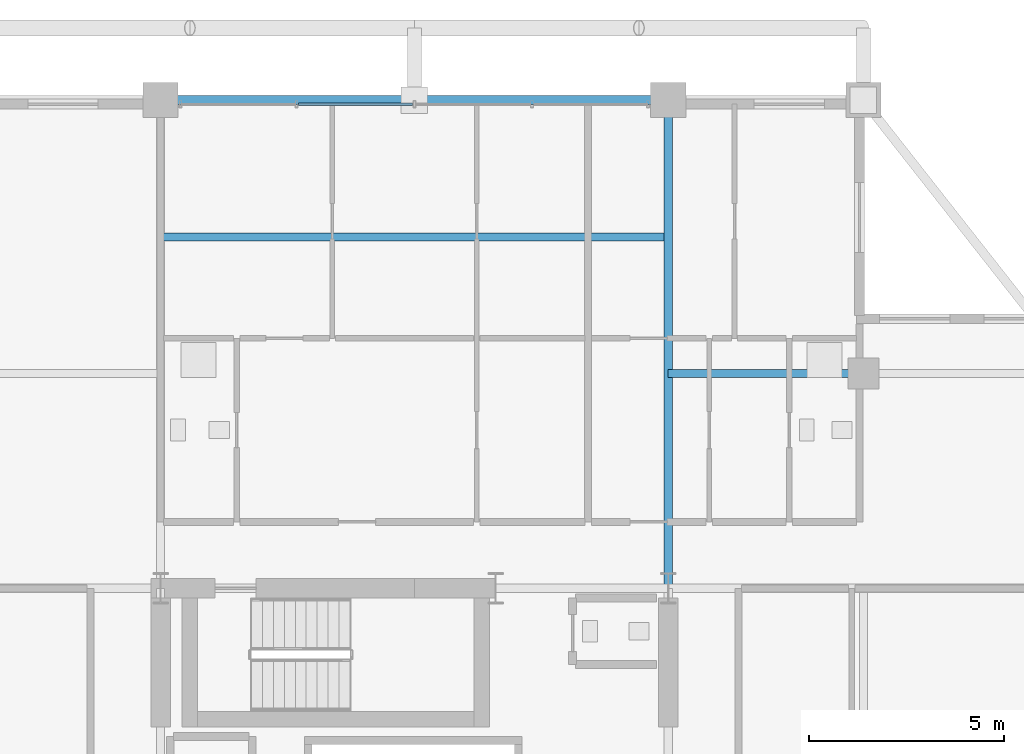
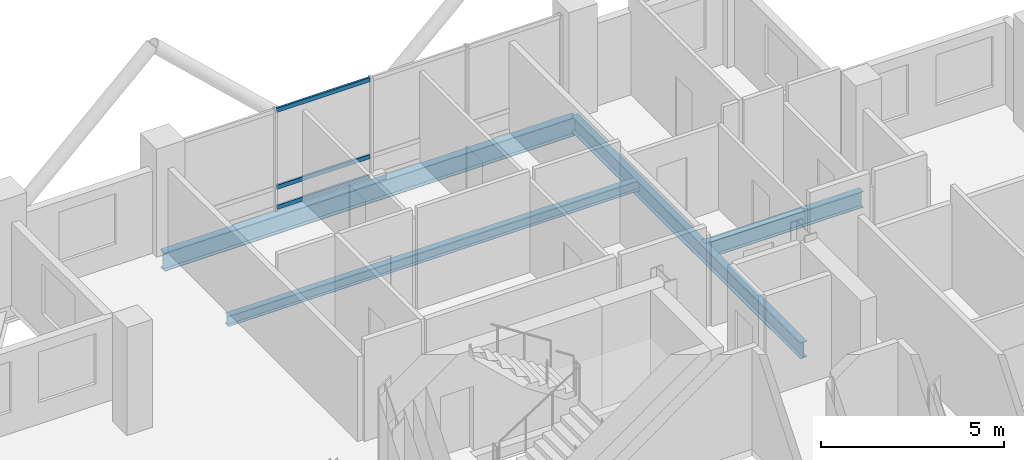
# One storey, part 16 of 24: 4 beams, 3 members, 1 element without a shape of its own.
"""IFC4 building model written with IfcOpenShell, lengths in metres."""

import ifcopenshell
import ifcopenshell.guid

model = None  # the IFC model being written
_history = None  # IfcOwnerHistory: only IFC2X3 demands one
_inside = {}  # id of a spatial element -> (the spatial element, [elements in it])
_under = {}  # id of a project, library or spatial element -> (it, [spatial elements below it])
_declared = {}  # id of a project -> (the project, [libraries it declares])
_typed = {}  # id of a type object -> (the type object, [elements of that type])
_made_of = {}  # id of a material, layer set ... -> (it, [elements and type objects made of it])


def new_model(schema):
    """Start an empty IFC model of exactly this schema.

    Asked for "IFC4X3", IfcOpenShell would pick the latest addendum, in which some entities
    have other attributes; the version numbers below select the first issue.
    IFC2X3 requires an IfcOwnerHistory on every rooted entity: one is made here for all.
    """
    global model, _history
    if schema == "IFC4X3":
        model = ifcopenshell.file(schema_version=(4, 3, 0, 0))
    else:
        model = ifcopenshell.file(schema=schema)
    _inside.clear()
    _under.clear()
    _declared.clear()
    _typed.clear()
    _made_of.clear()
    _history = None
    if model.schema == "IFC2X3":
        org = make("IfcOrganization", Name="unknown")
        user = make(
            "IfcPersonAndOrganization",
            ThePerson=make("IfcPerson", FamilyName="unknown"),
            TheOrganization=org,
        )
        app = make(
            "IfcApplication",
            ApplicationDeveloper=org,
            Version="unknown",
            ApplicationFullName="unknown",
            ApplicationIdentifier="unknown",
        )
        _history = make(
            "IfcOwnerHistory",
            OwningUser=user,
            OwningApplication=app,
            ChangeAction="ADDED",
            CreationDate=0,
        )
    return model


def make(cls, **values):
    """One entity of the class cls with the attributes given. An attribute that is None is left unset."""
    return model.create_entity(
        cls, **{name: value for name, value in values.items() if value is not None}
    )


def rooted(cls, **values):
    """An entity with a GlobalId (a new one), such as an element, a storey or a relation."""
    return make(cls, GlobalId=ifcopenshell.guid.new(), OwnerHistory=_history, **values)


def si_unit(unit_type, name, prefix=None):
    """IfcSIUnit, for example si_unit("LENGTHUNIT", "METRE", prefix="MILLI")."""
    return make("IfcSIUnit", UnitType=unit_type, Prefix=prefix, Name=name)


def assignment(units):
    """IfcUnitAssignment: the units of a project."""
    return None if units is None else make("IfcUnitAssignment", Units=units)


def point(xyz):
    """IfcCartesianPoint."""
    return None if xyz is None else make("IfcCartesianPoint", Coordinates=xyz)


def direction(xyz):
    """IfcDirection."""
    return None if xyz is None else make("IfcDirection", DirectionRatios=xyz)


def frame(location, z_axis=None, x_axis=None):
    """IfcAxis2Placement3D, a coordinate frame: its origin and axes. An axis left out is left unset."""
    return make(
        "IfcAxis2Placement3D",
        Location=point(location),
        Axis=direction(z_axis),
        RefDirection=direction(x_axis),
    )


def frame_2d(location, x_axis=None):
    """IfcAxis2Placement2D, a coordinate frame in the plane: its origin and x axis."""
    return make(
        "IfcAxis2Placement2D", Location=point(location), RefDirection=direction(x_axis)
    )


def origin():
    """The frame at (0, 0, 0) with its axes left unset."""
    return frame((0.0, 0.0, 0.0))


def origin_2d():
    """The frame at (0, 0) in the plane with its x axis left unset."""
    return frame_2d((0.0, 0.0))


def place(relative_to, where):
    """IfcLocalPlacement: puts the frame where relative to a parent placement (None: the world)."""
    return make(
        "IfcLocalPlacement", PlacementRelTo=relative_to, RelativePlacement=where
    )


def context(
    kind, dimensions, precision=None, world=None, true_north=None, identifier=None
):
    """IfcGeometricRepresentationContext, for example the 3D "Model" context."""
    return make(
        "IfcGeometricRepresentationContext",
        ContextIdentifier=identifier,
        ContextType=kind,
        CoordinateSpaceDimension=dimensions,
        Precision=precision,
        WorldCoordinateSystem=world,
        TrueNorth=true_north,
    )


def subcontext(parent, identifier, kind, view, scale=None):
    """IfcGeometricRepresentationSubContext, for example "Body" below "Model"."""
    return make(
        "IfcGeometricRepresentationSubContext",
        ContextIdentifier=identifier,
        ContextType=kind,
        ParentContext=parent,
        TargetScale=scale,
        TargetView=view,
    )


def project(units=None, contexts=None):
    """IfcProject with its units and contexts."""
    return rooted(
        "IfcProject",
        Name="project",
        RepresentationContexts=contexts,
        UnitsInContext=assignment(units),
    )


def spatial(cls, under=None, at=None, **own):
    """A site, building, storey or space (cls), placed at a placement, below another one or the project."""
    s = rooted(cls, ObjectPlacement=at, **own)
    if under is not None:
        _under.setdefault(under.id(), (under, []))[1].append(s)
    return s


def profile(cls, at=None, kind="AREA", **sizes):
    """A parametric profile (cls). Its sizes go by their IFC names, for example OverallWidth=200.0."""
    return make(cls, ProfileType=kind, Position=at, **sizes)


def hollow_rectangle(**sizes):
    """IfcRectangleHollowProfileDef."""
    return profile("IfcRectangleHollowProfileDef", **sizes)


def i_section(**sizes):
    """IfcIShapeProfileDef."""
    return profile("IfcIShapeProfileDef", **sizes)


def extrude(swept, where, along, depth):
    """IfcExtrudedAreaSolid: the profile swept, set in the frame where, extruded along a direction by depth."""
    return make(
        "IfcExtrudedAreaSolid",
        SweptArea=swept,
        Position=where,
        ExtrudedDirection=direction(along),
        Depth=depth,
    )


def shape(context_of_items, identifier, shape_type, items):
    """IfcShapeRepresentation: the items that make up one representation, for example the "Body"."""
    return make(
        "IfcShapeRepresentation",
        ContextOfItems=context_of_items,
        RepresentationIdentifier=identifier,
        RepresentationType=shape_type,
        Items=items,
    )


def material(Name=None, Category=None):
    """IfcMaterial."""
    return make("IfcMaterial", Name=Name, Category=Category)


def layer(
    of_material, thickness, ventilated=None, Name=None, Category=None, Priority=None
):
    """IfcMaterialLayer: one layer of a wall or slab, of a material (None: an air gap)."""
    return make(
        "IfcMaterialLayer",
        Material=of_material,
        LayerThickness=thickness,
        IsVentilated=ventilated,
        Name=Name,
        Category=Category,
        Priority=Priority,
    )


def layer_set(layers, Name=None):
    """IfcMaterialLayerSet."""
    return make("IfcMaterialLayerSet", MaterialLayers=layers, LayerSetName=Name)


def material_profile(
    of_material, cross_section, Name=None, Category=None, Priority=None
):
    """IfcMaterialProfile: a cross section and its material."""
    return make(
        "IfcMaterialProfile",
        Name=Name,
        Material=of_material,
        Profile=cross_section,
        Priority=Priority,
        Category=Category,
    )


def profile_set(profiles, Name=None, composite=None):
    """IfcMaterialProfileSet."""
    return make(
        "IfcMaterialProfileSet",
        Name=Name,
        MaterialProfiles=profiles,
        CompositeProfile=composite,
    )


def made_of(thing, what):
    """Note that an element or type object is made of a material, layer set ...; save() writes the relation."""
    if what is not None:
        _made_of.setdefault(what.id(), (what, []))[1].append(thing)
    return thing


def type_object(cls, material=None, **own):
    """A type object (cls), such as IfcWallType, which elements share."""
    return made_of(rooted(cls, **own), material)


def element(
    cls,
    number,
    at=None,
    inside=None,
    cuts=None,
    type_object=None,
    material=None,
    context=None,
    identifier="Body",
    shape_type=None,
    held_by="IfcProductDefinitionShape",
    body=None,
    shapes=None,
    **own,
):
    """One element of the class cls, such as IfcWall. Its Tag is "e" and its number.

    at: its placement. inside: the storey or other place that contains it. cuts: it is an
    opening in that element (IfcRelVoidsElement). A single representation is given by context,
    identifier, shape_type and body (its items); several are given by shapes. held_by: the class
    of the entity that holds the representations. save() writes the other relations.
    """
    e = rooted(cls, Tag="e%d" % number, ObjectPlacement=at, **own)
    if body is not None:
        shapes = [shape(context, identifier, shape_type, body)]
    if shapes is not None:
        e.Representation = make(held_by, Representations=shapes)
    if inside is not None:
        _inside.setdefault(inside.id(), (inside, []))[1].append(e)
    if cuts is not None:
        rooted(
            "IfcRelVoidsElement", RelatingBuildingElement=cuts, RelatedOpeningElement=e
        )
    if type_object is not None:
        _typed.setdefault(type_object.id(), (type_object, []))[1].append(e)
    return made_of(e, material)


def aggregate(whole, parts):
    """IfcRelAggregates: a whole, such as a stair, and the parts it consists of."""
    return rooted("IfcRelAggregates", RelatingObject=whole, RelatedObjects=parts)


def save(model, path):
    """Write the relations noted so far, then the file.

    IfcRelAggregates (storeys below a building ...), IfcRelContainedInSpatialStructure (elements
    in a storey), IfcRelDefinesByType, IfcRelAssociatesMaterial and IfcRelDeclares: one each for
    every whole, place, type object, material and project.
    """
    for whole, parts in _under.values():
        aggregate(whole, parts)
    for where, things in _inside.values():
        rooted(
            "IfcRelContainedInSpatialStructure",
            RelatedElements=things,
            RelatingStructure=where,
        )
    for kind, things in _typed.values():
        rooted("IfcRelDefinesByType", RelatedObjects=things, RelatingType=kind)
    for what, things in _made_of.values():
        rooted("IfcRelAssociatesMaterial", RelatedObjects=things, RelatingMaterial=what)
    for by, libraries in _declared.values():
        rooted("IfcRelDeclares", RelatingContext=by, RelatedDefinitions=libraries)
    model.write(path)


model = new_model("IFC4")

# Units and contexts
model_context = context("Model", 3, precision=1e-05, world=origin(), true_north=direction((0.0, 1.0)))
body_context = subcontext(model_context, "Body", "Model", "MODEL_VIEW")
ifc_project = project(units=[si_unit("LENGTHUNIT", "METRE"), si_unit("AREAUNIT", "SQUARE_METRE"), si_unit("VOLUMEUNIT", "CUBIC_METRE"), si_unit("PLANEANGLEUNIT", "RADIAN"), si_unit("MASSUNIT", "GRAM", prefix="KILO")], contexts=[model_context])

# Site, building, storey
site_placement = place(None, origin())
site = spatial("IfcSite", under=ifc_project, at=site_placement, CompositionType="ELEMENT")
building_placement = place(site_placement, origin())
building = spatial("IfcBuilding", under=site, at=building_placement, Name="Barlavira Tower and Art Museum", CompositionType="ELEMENT")
storey_placement = place(building_placement, frame((0.0, 0.0, 251.10009765625)))
storey = spatial("IfcBuildingStorey", under=building, at=storey_placement, Name="L65", CompositionType="ELEMENT", Elevation=251.10009765625)

# Curtain wall, members
ifc_material_1 = material(Name="Low-iron coastal laminated glass", Category="glass")
ifc_layer = layer(ifc_material_1, 0.2099609375, Name="Low-iron coastal laminated glass")
ifc_layer_set = layer_set([ifc_layer], Name="Low-iron coastal laminated glass")
curtain_wall_type = type_object("IfcCurtainWallType", Name="Pale-Metal Unitised Curtain Wall Zone 4", PredefinedType="NOTDEFINED", material=ifc_layer_set)
curtain_wall_placement = place(storey_placement, origin())
curtain_wall = element("IfcCurtainWall", 1, at=curtain_wall_placement, inside=storey, type_object=curtain_wall_type, Name="L65 Curtain Wall CW4-L65-N-B2", PredefinedType="NOTDEFINED")
ifc_material_2 = material(Name="Pale anodised aluminium", Category="aluminium")
ifc_material_profile_1 = material_profile(ifc_material_2, hollow_rectangle(XDim=0.06494140625, YDim=0.139892578125, WallThickness=0.00390625, at=origin_2d()), Name="ALU-TRAN 65x140x4")
ifc_profile_set_1 = profile_set([ifc_material_profile_1], Name="Pale anodised aluminium")
member_type = type_object("IfcMemberType", Name="Curtain Wall Pale-Metal Transom 65x140", PredefinedType="USERDEFINED", material=ifc_profile_set_1)
member_1_placement = place(storey_placement, frame((-0.044921875, 19.89990234375, 0.06982421875), z_axis=(-1.0, 0.0, 0.0), x_axis=(0.0, -1.0, 0.0)))
member_1 = element("IfcMember", 2, at=member_1_placement, type_object=member_type, Name="CW4-L65-N-B2 Transom 2.1", ObjectType="TRANSOM", PredefinedType="USERDEFINED", context=body_context, shape_type="SweptSolid", body=[
    extrude(hollow_rectangle(XDim=0.06494140625, YDim=0.139892578125, WallThickness=0.00390625, at=origin_2d()), origin(), (0.0, 0.0, 1.0), 2.925048828125),
])
member_2_placement = place(storey_placement, frame((-0.044921875, 19.89990234375, 0.743896484375), z_axis=(-1.0, 0.0, 0.0), x_axis=(0.0, -1.0, 0.0)))
member_2 = element("IfcMember", 3, at=member_2_placement, type_object=member_type, Name="CW4-L65-N-B2 Transom 2.2", ObjectType="TRANSOM", PredefinedType="USERDEFINED", context=body_context, shape_type="SweptSolid", body=[
    extrude(hollow_rectangle(XDim=0.06494140625, YDim=0.139892578125, WallThickness=0.00390625, at=origin_2d()), origin(), (0.0, 0.0, 1.0), 2.925048828125),
])
member_3_placement = place(storey_placement, frame((-0.044921875, 19.89990234375, 3.309814453125), z_axis=(-1.0, 0.0, 0.0), x_axis=(0.0, -1.0, 0.0)))
member_3 = element("IfcMember", 4, at=member_3_placement, type_object=member_type, Name="CW4-L65-N-B2 Transom 2.3", ObjectType="TRANSOM", PredefinedType="USERDEFINED", context=body_context, shape_type="SweptSolid", body=[
    extrude(hollow_rectangle(XDim=0.06494140625, YDim=0.139892578125, WallThickness=0.00390625, at=origin_2d()), origin(), (0.0, 0.0, 1.0), 2.925048828125),
])
aggregate(curtain_wall, [member_1, member_2, member_3])

# Beams
ifc_material_3 = material(Name="Steel S355", Category="steel")
ifc_material_profile_2 = material_profile(ifc_material_3, i_section(OverallWidth=0.22998046875, OverallDepth=0.616943359375, WebThickness=0.01318359375, FlangeThickness=0.022216796875, at=origin_2d()), Name="W610x140.0")
ifc_profile_set_2 = profile_set([ifc_material_profile_2], Name="Steel S355")
beam_type_1 = type_object("IfcBeamType", Name="Upper Shaft Spandrel Edge Beam W610x140 Steel S355", PredefinedType="SPANDREL", material=ifc_profile_set_2)
beam_1_placement = place(storey_placement, frame((-6.5, 20.0, -0.528564453125), z_axis=(1.0, 0.0, 0.0), x_axis=(0.0, 1.0, 0.0)))
element("IfcBeam", 5, at=beam_1_placement, inside=storey, type_object=beam_type_1, Name="L65 Spandrel 10", PredefinedType="SPANDREL", context=body_context, shape_type="SweptSolid", body=[
    extrude(i_section(OverallWidth=0.22998046875, OverallDepth=0.616943359375, WebThickness=0.01318359375, FlangeThickness=0.022216796875, at=origin_2d()), origin(), (0.0, 0.0, 1.0), 13.0),
])
ifc_material_profile_3 = material_profile(ifc_material_3, i_section(OverallWidth=0.2109375, OverallDepth=0.5390625, WebThickness=0.01171875, FlangeThickness=0.018798828125, at=origin_2d()), Name="W530x109.0")
ifc_profile_set_3 = profile_set([ifc_material_profile_3], Name="Steel S355")
beam_type_2 = type_object("IfcBeamType", Name="Zone 3-4 Primary Floor Girder W530x109 Steel S355", PredefinedType="BEAM", material=ifc_profile_set_3)
beam_2_placement = place(storey_placement, frame((6.5, 7.5, -0.489501953125), z_axis=(0.0, 1.0, 0.0), x_axis=(-1.0, 0.0, 0.0)))
element("IfcBeam", 6, at=beam_2_placement, inside=storey, type_object=beam_type_2, Name="L65 Girder R-N2", PredefinedType="BEAM", context=body_context, shape_type="SweptSolid", body=[
    extrude(i_section(OverallWidth=0.2109375, OverallDepth=0.5390625, WebThickness=0.01171875, FlangeThickness=0.018798828125, at=origin_2d()), origin(), (0.0, 0.0, 1.0), 12.5),
])
beam_3_placement = place(storey_placement, frame((6.5, 13.0, -0.489501953125), z_axis=(1.0, 0.0, 0.0), x_axis=(0.0, 1.0, 0.0)))
element("IfcBeam", 7, at=beam_3_placement, inside=storey, type_object=beam_type_2, Name="L65 Girder I-N3", PredefinedType="BEAM", context=body_context, shape_type="SweptSolid", body=[
    extrude(i_section(OverallWidth=0.2109375, OverallDepth=0.5390625, WebThickness=0.01171875, FlangeThickness=0.018798828125, at=origin_2d()), origin(), (0.0, 0.0, 1.0), 5.0),
])
ifc_material_profile_4 = material_profile(ifc_material_3, i_section(OverallWidth=0.202880859375, OverallDepth=0.346923828125, WebThickness=0.0078125, FlangeThickness=0.013427734375, at=origin_2d()), Name="W360x64.0")
ifc_profile_set_4 = profile_set([ifc_material_profile_4], Name="Steel S355")
beam_type_3 = type_object("IfcBeamType", Name="Zone 4 Composite Floor Joist W360x64 Steel S355", PredefinedType="JOIST", material=ifc_profile_set_4)
beam_4_placement = place(storey_placement, frame((-6.5, 16.5, -0.3935546875), z_axis=(1.0, 0.0, 0.0), x_axis=(0.0, 1.0, 0.0)))
element("IfcBeam", 8, at=beam_4_placement, inside=storey, type_object=beam_type_3, Name="L65 Joist C2", PredefinedType="JOIST", context=body_context, shape_type="SweptSolid", body=[
    extrude(i_section(OverallWidth=0.202880859375, OverallDepth=0.346923828125, WebThickness=0.0078125, FlangeThickness=0.013427734375, at=origin_2d()), origin(), (0.0, 0.0, 1.0), 13.0),
])

save(model, "model.ifc")
